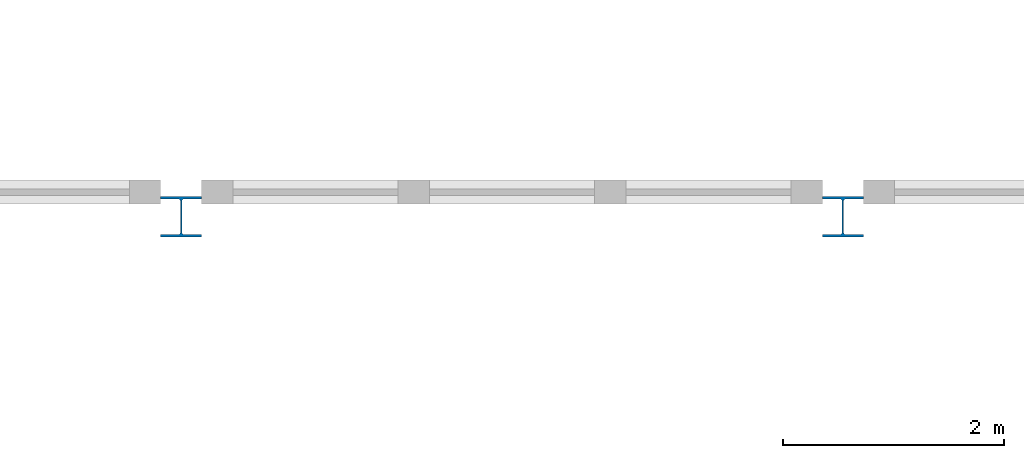
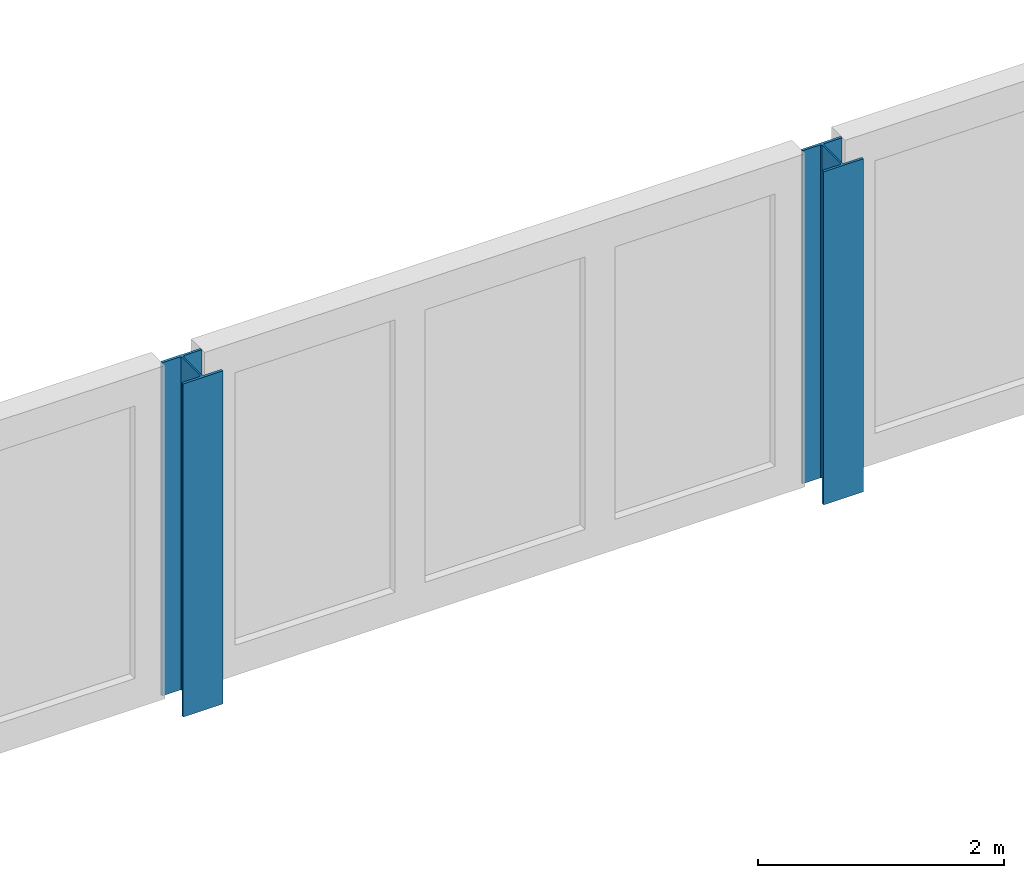
# One storey, part 2 of 199: 2 columns.
"""IFC4 building model written with IfcOpenShell, lengths in metres."""

from ifc_helpers import new_model, si_unit, direction, frame, origin, origin_2d, place, context, subcontext, project, spatial, i_section, extrude, material, material_profile, profile_set, type_object, element, save


model = new_model("IFC4")

# Units and contexts
model_context = context("Model", 3, precision=1e-05, world=origin(), true_north=direction((0.0, 1.0)))
body_context = subcontext(model_context, "Body", "Model", "MODEL_VIEW")
ifc_project = project(units=[si_unit("LENGTHUNIT", "METRE"), si_unit("AREAUNIT", "SQUARE_METRE"), si_unit("VOLUMEUNIT", "CUBIC_METRE"), si_unit("PLANEANGLEUNIT", "RADIAN"), si_unit("MASSUNIT", "GRAM", prefix="KILO")], contexts=[model_context])

# Site, building, storey
site_placement = place(None, origin())
site = spatial("IfcSite", under=ifc_project, at=site_placement, CompositionType="ELEMENT")
building_placement = place(site_placement, origin())
building = spatial("IfcBuilding", under=site, at=building_placement, Name="Parallax Yard Mobility Hub", CompositionType="ELEMENT")
storey_placement = place(building_placement, frame((0.0, 0.0, 9.89990234375)))
storey = spatial("IfcBuildingStorey", under=building, at=storey_placement, Name="L03", CompositionType="ELEMENT", Elevation=9.89990234375)

# Columns
ifc_material = material(Name="Steel ASTM A992", Category="steel")
ifc_material_profile = material_profile(ifc_material, i_section(OverallWidth=0.373046875, OverallDepth=0.367919921875, WebThickness=0.014892578125, FlangeThickness=0.02392578125, FilletRadius=0.01513671875, at=origin_2d()), Name="W360x179")
ifc_profile_set = profile_set([ifc_material_profile], Name="Steel ASTM A992")
column_type = type_object("IfcColumnType", Name="W360x179 column", PredefinedType="COLUMN", material=ifc_profile_set)
for number, where, z_axis, x_axis, name in (
    (1, (63.0, 7.5, 0.0), (0.0, 0.0, 1.0), (1.0, 0.0, 0.0), "Ridge column F10 south level L03"),
    (2, (69.0, 7.5, 0.0), (0.0, 0.0, 1.0), (1.0, 0.0, 0.0), "Valley column F11 south level L03"),
):
    element("IfcColumn", number, at=place(storey_placement, frame(where, z_axis=z_axis, x_axis=x_axis)), inside=storey, type_object=column_type, Name=name, PredefinedType="COLUMN", context=body_context, shape_type="SweptSolid", body=[
        extrude(i_section(OverallWidth=0.373046875, OverallDepth=0.367919921875, WebThickness=0.014892578125, FlangeThickness=0.02392578125, FilletRadius=0.01513671875, at=origin_2d()), origin(), (0.0, 0.0, 1.0), 3.300048828125),
    ])

save(model, "model.ifc")
